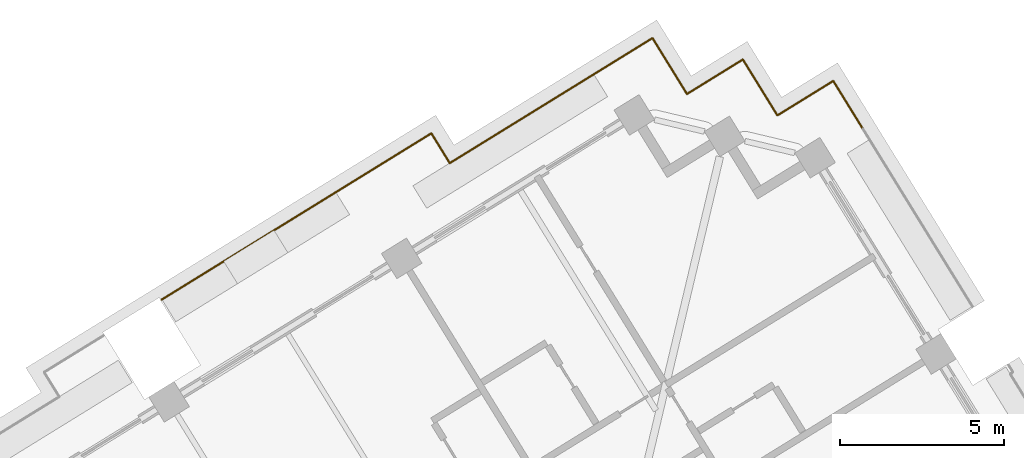
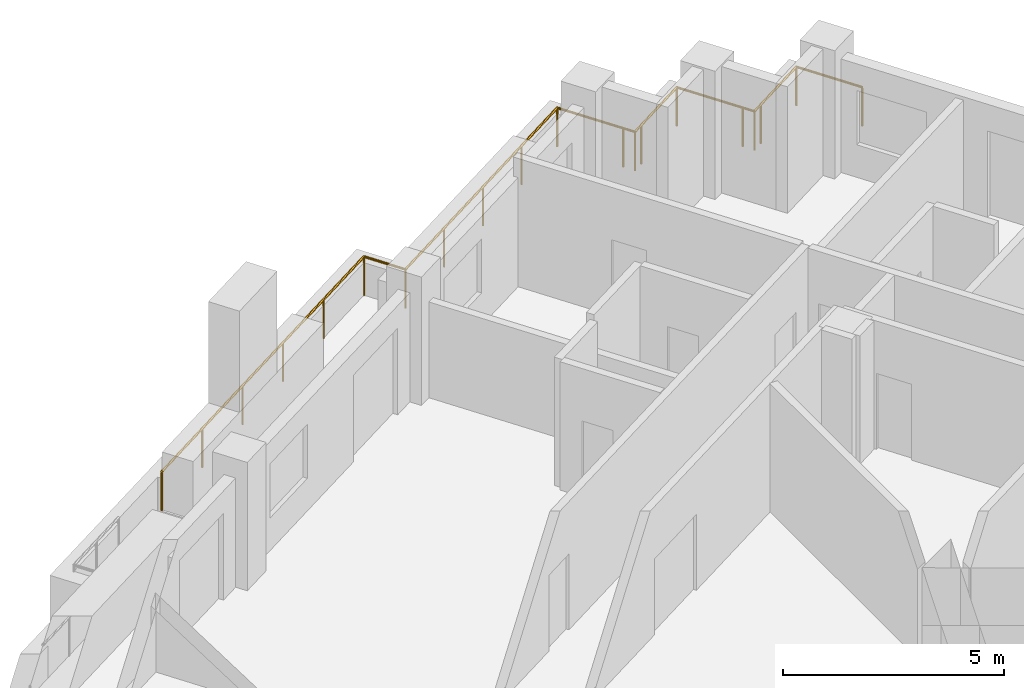
# One storey, part 19 of 20: 1 railing.
"""IFC4 building model written with IfcOpenShell, lengths in metres."""

from ifc_helpers import new_model, si_unit, direction, frame, origin, origin_2d, place, context, subcontext, project, spatial, circle, extrude, material, type_object, element, save


model = new_model("IFC4")

# Units and contexts
model_context = context("Model", 3, precision=1e-05, world=origin(), true_north=direction((0.0, 1.0)))
body_context = subcontext(model_context, "Body", "Model", "MODEL_VIEW")
ifc_project = project(units=[si_unit("LENGTHUNIT", "METRE"), si_unit("AREAUNIT", "SQUARE_METRE"), si_unit("VOLUMEUNIT", "CUBIC_METRE"), si_unit("PLANEANGLEUNIT", "RADIAN"), si_unit("MASSUNIT", "GRAM", prefix="KILO")], contexts=[model_context])

# Site, building, storey
site_placement = place(None, origin())
site = spatial("IfcSite", under=ifc_project, at=site_placement, CompositionType="ELEMENT")
building_placement = place(site_placement, origin())
building = spatial("IfcBuilding", under=site, at=building_placement, Name="Cantera Rosa Tower", CompositionType="ELEMENT")
storey_placement = place(building_placement, frame((0.0, 0.0, 181.800048828125)))
storey = spatial("IfcBuildingStorey", under=building, at=storey_placement, Name="L40", CompositionType="ELEMENT", Elevation=181.800048828125)

# Railing
ifc_material = material(Name="Stainless steel and laminated glass", Category="steel")
railing_type = type_object("IfcRailingType", Name="GUARD 1100", PredefinedType="BALUSTRADE", material=ifc_material)
railing_placement = place(storey_placement, frame((-8.00830078125, 23.63134765625, 0.0)))
element("IfcRailing", 1, at=railing_placement, inside=storey, type_object=railing_type, Name="GUARD L40-8", PredefinedType="BALUSTRADE", context=body_context, shape_type="SweptSolid", body=[
    extrude(circle(Radius=0.030029296875, at=origin_2d()), frame((0.0, 0.0, 1.070068359375), z_axis=(0.851117969212, 0.524974477936, 0.0), x_axis=(-0.524974477936, 0.851117969212, 0.0)), (0.0, 0.0, 1.0), 9.6572265625),
    extrude(circle(Radius=0.030029296875, at=origin_2d()), frame((8.219482421875, 5.06982421875, 1.070068359375), z_axis=(0.525054443661, -0.851068640705, 0.0), x_axis=(0.851068640705, 0.525054443661, 0.0)), (0.0, 0.0, 1.0), 1.067138671875),
    extrude(circle(Radius=0.030029296875, at=origin_2d()), frame((8.77978515625, 4.16162109375, 1.070068359375), z_axis=(0.851120447986, 0.524970459188, 0.0), x_axis=(-0.524970459188, 0.851120447986, 0.0)), (0.0, 0.0, 1.0), 5.552734375),
    extrude(circle(Radius=0.030029296875, at=origin_2d()), frame((13.505859375, 7.07666015625, 1.070068359375), z_axis=(0.851130227454, 0.524954603669, 0.0), x_axis=(-0.524954603669, 0.851130227454, 0.0)), (0.0, 0.0, 1.0), 1.699951171875),
    extrude(circle(Radius=0.030029296875, at=origin_2d()), frame((14.95263671875, 7.968994140625, 1.070068359375), z_axis=(0.525058638144, -0.851066052965, 0.0), x_axis=(0.851066052965, 0.525058638144, 0.0)), (0.0, 0.0, 1.0), 1.699951171875),
    extrude(circle(Radius=0.030029296875, at=origin_2d()), frame((15.84521484375, 6.522216796875, 1.070068359375), z_axis=(0.524869051004, -0.85118298814, 0.0), x_axis=(0.85118298814, 0.524869051004, 0.0)), (0.0, 0.0, 1.0), 0.300048828125),
    extrude(circle(Radius=0.030029296875, at=origin_2d()), frame((16.002685546875, 6.266845703125, 1.070068359375), z_axis=(0.85118298814, 0.524869051004, 0.0), x_axis=(-0.524869051004, 0.85118298814, 0.0)), (0.0, 0.0, 1.0), 0.300048828125),
    extrude(circle(Radius=0.030029296875, at=origin_2d()), frame((16.258056640625, 6.42431640625, 1.070068359375), z_axis=(0.851066052965, 0.525058638144, 0.0), x_axis=(-0.525058638144, 0.851066052965, 0.0)), (0.0, 0.0, 1.0), 1.699951171875),
    extrude(circle(Radius=0.030029296875, at=origin_2d()), frame((17.704833984375, 7.31689453125, 1.070068359375), z_axis=(0.524994468487, -0.851105638601, 0.0), x_axis=(0.851105638601, 0.524994468487, 0.0)), (0.0, 0.0, 1.0), 1.7001953125),
    extrude(circle(Radius=0.030029296875, at=origin_2d()), frame((18.597412109375, 5.869873046875, 1.070068359375), z_axis=(0.524869051004, -0.85118298814, 0.0), x_axis=(0.85118298814, 0.524869051004, 0.0)), (0.0, 0.0, 1.0), 0.300048828125),
    extrude(circle(Radius=0.030029296875, at=origin_2d()), frame((18.7548828125, 5.614501953125, 1.070068359375), z_axis=(0.85118298814, 0.524869051004, 0.0), x_axis=(-0.524869051004, 0.85118298814, 0.0)), (0.0, 0.0, 1.0), 0.300048828125),
    extrude(circle(Radius=0.030029296875, at=origin_2d()), frame((19.01025390625, 5.77197265625, 1.070068359375), z_axis=(0.851066052965, 0.525058638144, 0.0), x_axis=(-0.525058638144, 0.851066052965, 0.0)), (0.0, 0.0, 1.0), 1.699951171875),
    extrude(circle(Radius=0.030029296875, at=origin_2d()), frame((20.45703125, 6.66455078125, 1.070068359375), z_axis=(0.524994468487, -0.851105638601, 0.0), x_axis=(0.851105638601, 0.524994468487, 0.0)), (0.0, 0.0, 1.0), 1.7001953125),
    extrude(circle(Radius=0.02490234375, at=origin_2d()), origin(), (0.0, 0.0, 1.0), 1.0400390625),
    extrude(circle(Radius=0.02490234375, at=origin_2d()), frame((1.643798828125, 1.013916015625, 0.0)), (0.0, 0.0, 1.0), 1.0400390625),
    extrude(circle(Radius=0.02490234375, at=origin_2d()), frame((3.287841796875, 2.02783203125, 0.0)), (0.0, 0.0, 1.0), 1.0400390625),
    extrude(circle(Radius=0.02490234375, at=origin_2d()), frame((4.931640625, 3.0419921875, 0.0)), (0.0, 0.0, 1.0), 1.0400390625),
    extrude(circle(Radius=0.02490234375, at=origin_2d()), frame((6.57568359375, 4.055908203125, 0.0)), (0.0, 0.0, 1.0), 1.0400390625),
    extrude(circle(Radius=0.02490234375, at=origin_2d()), frame((8.219482421875, 5.06982421875, 0.0)), (0.0, 0.0, 1.0), 1.0400390625),
    extrude(circle(Radius=0.02490234375, at=origin_2d()), frame((8.77978515625, 4.16162109375, 0.0)), (0.0, 0.0, 1.0), 1.0400390625),
    extrude(circle(Radius=0.02490234375, at=origin_2d()), frame((10.355224609375, 5.13330078125, 0.0)), (0.0, 0.0, 1.0), 1.0400390625),
    extrude(circle(Radius=0.02490234375, at=origin_2d()), frame((11.930419921875, 6.10498046875, 0.0)), (0.0, 0.0, 1.0), 1.0400390625),
    extrude(circle(Radius=0.02490234375, at=origin_2d()), frame((13.505859375, 7.07666015625, 0.0)), (0.0, 0.0, 1.0), 1.0400390625),
    extrude(circle(Radius=0.02490234375, at=origin_2d()), frame((14.95263671875, 7.968994140625, 0.0)), (0.0, 0.0, 1.0), 1.0400390625),
    extrude(circle(Radius=0.02490234375, at=origin_2d()), frame((15.84521484375, 6.522216796875, 0.0)), (0.0, 0.0, 1.0), 1.0400390625),
    extrude(circle(Radius=0.02490234375, at=origin_2d()), frame((16.002685546875, 6.266845703125, 0.0)), (0.0, 0.0, 1.0), 1.0400390625),
    extrude(circle(Radius=0.02490234375, at=origin_2d()), frame((16.258056640625, 6.42431640625, 0.0)), (0.0, 0.0, 1.0), 1.0400390625),
    extrude(circle(Radius=0.02490234375, at=origin_2d()), frame((17.704833984375, 7.31689453125, 0.0)), (0.0, 0.0, 1.0), 1.0400390625),
    extrude(circle(Radius=0.02490234375, at=origin_2d()), frame((18.597412109375, 5.869873046875, 0.0)), (0.0, 0.0, 1.0), 1.0400390625),
    extrude(circle(Radius=0.02490234375, at=origin_2d()), frame((18.7548828125, 5.614501953125, 0.0)), (0.0, 0.0, 1.0), 1.0400390625),
    extrude(circle(Radius=0.02490234375, at=origin_2d()), frame((19.01025390625, 5.77197265625, 0.0)), (0.0, 0.0, 1.0), 1.0400390625),
    extrude(circle(Radius=0.02490234375, at=origin_2d()), frame((20.45703125, 6.66455078125, 0.0)), (0.0, 0.0, 1.0), 1.0400390625),
    extrude(circle(Radius=0.02490234375, at=origin_2d()), frame((21.349609375, 5.217529296875, 0.0)), (0.0, 0.0, 1.0), 1.0400390625),
])

save(model, "model.ifc")
